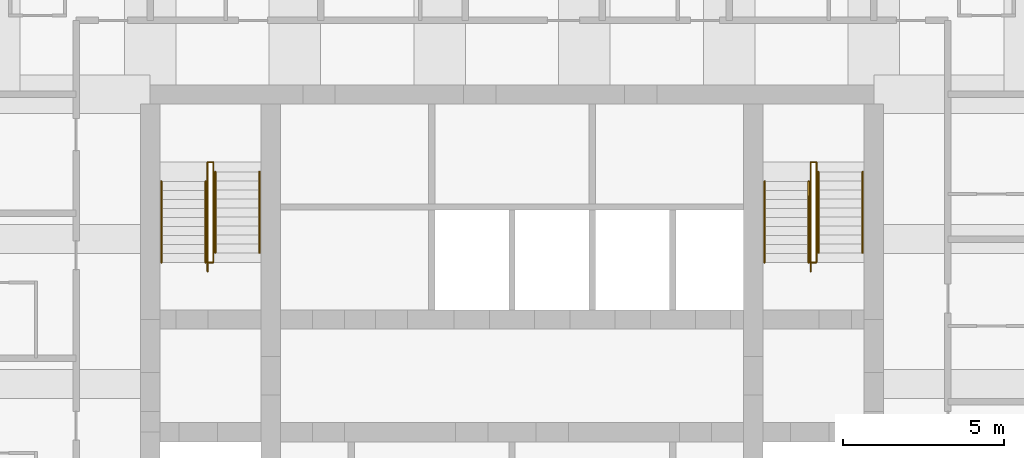
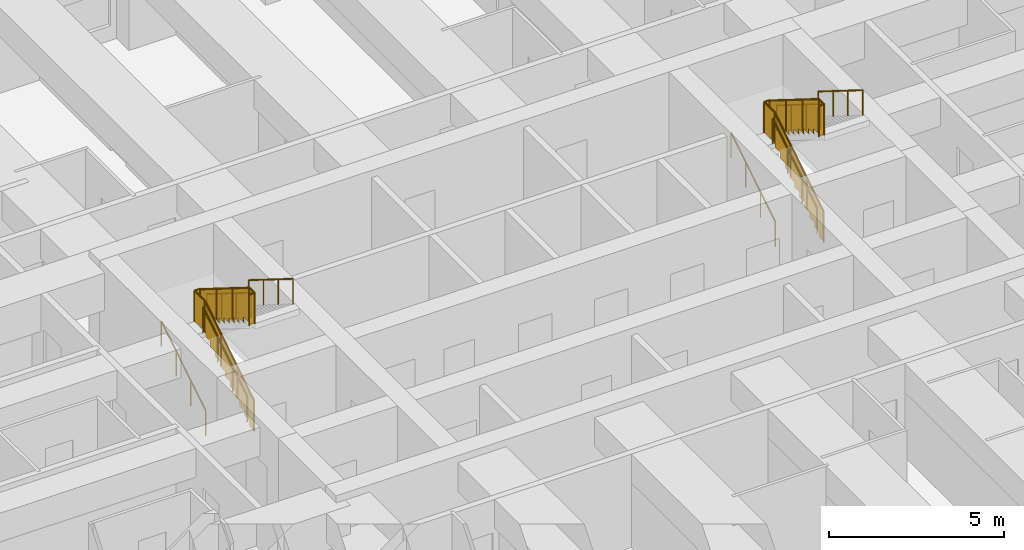
# One storey, part 8 of 8: 12 railings.
"""IFC4 building model written with IfcOpenShell, lengths in metres."""

import ifcopenshell
import ifcopenshell.guid

model = None  # the IFC model being written
_history = None  # IfcOwnerHistory: only IFC2X3 demands one
_inside = {}  # id of a spatial element -> (the spatial element, [elements in it])
_under = {}  # id of a project, library or spatial element -> (it, [spatial elements below it])
_declared = {}  # id of a project -> (the project, [libraries it declares])
_typed = {}  # id of a type object -> (the type object, [elements of that type])
_made_of = {}  # id of a material, layer set ... -> (it, [elements and type objects made of it])


def new_model(schema):
    """Start an empty IFC model of exactly this schema.

    Asked for "IFC4X3", IfcOpenShell would pick the latest addendum, in which some entities
    have other attributes; the version numbers below select the first issue.
    IFC2X3 requires an IfcOwnerHistory on every rooted entity: one is made here for all.
    """
    global model, _history
    if schema == "IFC4X3":
        model = ifcopenshell.file(schema_version=(4, 3, 0, 0))
    else:
        model = ifcopenshell.file(schema=schema)
    _inside.clear()
    _under.clear()
    _declared.clear()
    _typed.clear()
    _made_of.clear()
    _history = None
    if model.schema == "IFC2X3":
        org = make("IfcOrganization", Name="unknown")
        user = make(
            "IfcPersonAndOrganization",
            ThePerson=make("IfcPerson", FamilyName="unknown"),
            TheOrganization=org,
        )
        app = make(
            "IfcApplication",
            ApplicationDeveloper=org,
            Version="unknown",
            ApplicationFullName="unknown",
            ApplicationIdentifier="unknown",
        )
        _history = make(
            "IfcOwnerHistory",
            OwningUser=user,
            OwningApplication=app,
            ChangeAction="ADDED",
            CreationDate=0,
        )
    return model


def make(cls, **values):
    """One entity of the class cls with the attributes given. An attribute that is None is left unset."""
    return model.create_entity(
        cls, **{name: value for name, value in values.items() if value is not None}
    )


def rooted(cls, **values):
    """An entity with a GlobalId (a new one), such as an element, a storey or a relation."""
    return make(cls, GlobalId=ifcopenshell.guid.new(), OwnerHistory=_history, **values)


def si_unit(unit_type, name, prefix=None):
    """IfcSIUnit, for example si_unit("LENGTHUNIT", "METRE", prefix="MILLI")."""
    return make("IfcSIUnit", UnitType=unit_type, Prefix=prefix, Name=name)


def assignment(units):
    """IfcUnitAssignment: the units of a project."""
    return None if units is None else make("IfcUnitAssignment", Units=units)


def point(xyz):
    """IfcCartesianPoint."""
    return None if xyz is None else make("IfcCartesianPoint", Coordinates=xyz)


def direction(xyz):
    """IfcDirection."""
    return None if xyz is None else make("IfcDirection", DirectionRatios=xyz)


def frame(location, z_axis=None, x_axis=None):
    """IfcAxis2Placement3D, a coordinate frame: its origin and axes. An axis left out is left unset."""
    return make(
        "IfcAxis2Placement3D",
        Location=point(location),
        Axis=direction(z_axis),
        RefDirection=direction(x_axis),
    )


def frame_2d(location, x_axis=None):
    """IfcAxis2Placement2D, a coordinate frame in the plane: its origin and x axis."""
    return make(
        "IfcAxis2Placement2D", Location=point(location), RefDirection=direction(x_axis)
    )


def origin():
    """The frame at (0, 0, 0) with its axes left unset."""
    return frame((0.0, 0.0, 0.0))


def origin_2d():
    """The frame at (0, 0) in the plane with its x axis left unset."""
    return frame_2d((0.0, 0.0))


def place(relative_to, where):
    """IfcLocalPlacement: puts the frame where relative to a parent placement (None: the world)."""
    return make(
        "IfcLocalPlacement", PlacementRelTo=relative_to, RelativePlacement=where
    )


def context(
    kind, dimensions, precision=None, world=None, true_north=None, identifier=None
):
    """IfcGeometricRepresentationContext, for example the 3D "Model" context."""
    return make(
        "IfcGeometricRepresentationContext",
        ContextIdentifier=identifier,
        ContextType=kind,
        CoordinateSpaceDimension=dimensions,
        Precision=precision,
        WorldCoordinateSystem=world,
        TrueNorth=true_north,
    )


def subcontext(parent, identifier, kind, view, scale=None):
    """IfcGeometricRepresentationSubContext, for example "Body" below "Model"."""
    return make(
        "IfcGeometricRepresentationSubContext",
        ContextIdentifier=identifier,
        ContextType=kind,
        ParentContext=parent,
        TargetScale=scale,
        TargetView=view,
    )


def project(units=None, contexts=None):
    """IfcProject with its units and contexts."""
    return rooted(
        "IfcProject",
        Name="project",
        RepresentationContexts=contexts,
        UnitsInContext=assignment(units),
    )


def spatial(cls, under=None, at=None, **own):
    """A site, building, storey or space (cls), placed at a placement, below another one or the project."""
    s = rooted(cls, ObjectPlacement=at, **own)
    if under is not None:
        _under.setdefault(under.id(), (under, []))[1].append(s)
    return s


def polyline(points):
    """IfcPolyline through the points."""
    return make("IfcPolyline", Points=[point(p) for p in points])


def profile(cls, at=None, kind="AREA", **sizes):
    """A parametric profile (cls). Its sizes go by their IFC names, for example OverallWidth=200.0."""
    return make(cls, ProfileType=kind, Position=at, **sizes)


def circle(**sizes):
    """IfcCircleProfileDef."""
    return profile("IfcCircleProfileDef", **sizes)


def outline(outer, holes=None, kind="AREA"):
    """IfcArbitraryClosedProfileDef: a profile drawn as a closed curve; with holes, ...WithVoids."""
    if holes is None:
        return make("IfcArbitraryClosedProfileDef", ProfileType=kind, OuterCurve=outer)
    return make(
        "IfcArbitraryProfileDefWithVoids",
        ProfileType=kind,
        OuterCurve=outer,
        InnerCurves=holes,
    )


def extrude(swept, where, along, depth):
    """IfcExtrudedAreaSolid: the profile swept, set in the frame where, extruded along a direction by depth."""
    return make(
        "IfcExtrudedAreaSolid",
        SweptArea=swept,
        Position=where,
        ExtrudedDirection=direction(along),
        Depth=depth,
    )


def shape(context_of_items, identifier, shape_type, items):
    """IfcShapeRepresentation: the items that make up one representation, for example the "Body"."""
    return make(
        "IfcShapeRepresentation",
        ContextOfItems=context_of_items,
        RepresentationIdentifier=identifier,
        RepresentationType=shape_type,
        Items=items,
    )


def material(Name=None, Category=None):
    """IfcMaterial."""
    return make("IfcMaterial", Name=Name, Category=Category)


def made_of(thing, what):
    """Note that an element or type object is made of a material, layer set ...; save() writes the relation."""
    if what is not None:
        _made_of.setdefault(what.id(), (what, []))[1].append(thing)
    return thing


def type_object(cls, material=None, **own):
    """A type object (cls), such as IfcWallType, which elements share."""
    return made_of(rooted(cls, **own), material)


def element(
    cls,
    number,
    at=None,
    inside=None,
    cuts=None,
    type_object=None,
    material=None,
    context=None,
    identifier="Body",
    shape_type=None,
    held_by="IfcProductDefinitionShape",
    body=None,
    shapes=None,
    **own,
):
    """One element of the class cls, such as IfcWall. Its Tag is "e" and its number.

    at: its placement. inside: the storey or other place that contains it. cuts: it is an
    opening in that element (IfcRelVoidsElement). A single representation is given by context,
    identifier, shape_type and body (its items); several are given by shapes. held_by: the class
    of the entity that holds the representations. save() writes the other relations.
    """
    e = rooted(cls, Tag="e%d" % number, ObjectPlacement=at, **own)
    if body is not None:
        shapes = [shape(context, identifier, shape_type, body)]
    if shapes is not None:
        e.Representation = make(held_by, Representations=shapes)
    if inside is not None:
        _inside.setdefault(inside.id(), (inside, []))[1].append(e)
    if cuts is not None:
        rooted(
            "IfcRelVoidsElement", RelatingBuildingElement=cuts, RelatedOpeningElement=e
        )
    if type_object is not None:
        _typed.setdefault(type_object.id(), (type_object, []))[1].append(e)
    return made_of(e, material)


def aggregate(whole, parts):
    """IfcRelAggregates: a whole, such as a stair, and the parts it consists of."""
    return rooted("IfcRelAggregates", RelatingObject=whole, RelatedObjects=parts)


def save(model, path):
    """Write the relations noted so far, then the file.

    IfcRelAggregates (storeys below a building ...), IfcRelContainedInSpatialStructure (elements
    in a storey), IfcRelDefinesByType, IfcRelAssociatesMaterial and IfcRelDeclares: one each for
    every whole, place, type object, material and project.
    """
    for whole, parts in _under.values():
        aggregate(whole, parts)
    for where, things in _inside.values():
        rooted(
            "IfcRelContainedInSpatialStructure",
            RelatedElements=things,
            RelatingStructure=where,
        )
    for kind, things in _typed.values():
        rooted("IfcRelDefinesByType", RelatedObjects=things, RelatingType=kind)
    for what, things in _made_of.values():
        rooted("IfcRelAssociatesMaterial", RelatedObjects=things, RelatingMaterial=what)
    for by, libraries in _declared.values():
        rooted("IfcRelDeclares", RelatingContext=by, RelatedDefinitions=libraries)
    model.write(path)


model = new_model("IFC4")

# Units and contexts
model_context = context("Model", 3, precision=1e-05, world=origin(), true_north=direction((0.0, 1.0)))
body_context = subcontext(model_context, "Body", "Model", "MODEL_VIEW")
ifc_project = project(units=[si_unit("LENGTHUNIT", "METRE"), si_unit("AREAUNIT", "SQUARE_METRE"), si_unit("VOLUMEUNIT", "CUBIC_METRE"), si_unit("PLANEANGLEUNIT", "RADIAN"), si_unit("MASSUNIT", "GRAM", prefix="KILO")], contexts=[model_context])

# Site, building, storey
site_placement = place(None, origin())
site = spatial("IfcSite", under=ifc_project, at=site_placement, CompositionType="ELEMENT")
building_placement = place(site_placement, origin())
building = spatial("IfcBuilding", under=site, at=building_placement, Name="Kilele Tower Hotel", CompositionType="ELEMENT")
storey_placement = place(building_placement, frame((0.0, 0.0, 197.39990234375)))
storey = spatial("IfcBuildingStorey", under=building, at=storey_placement, Name="L51", CompositionType="ELEMENT", Elevation=197.39990234375)

# Railings
ifc_material_1 = material(Name="Steel handrail", Category="steel")
railing_type_1 = type_object("IfcRailingType", Name="Handrail 900", PredefinedType="HANDRAIL", material=ifc_material_1)
for number, where, name in (
    (1, (13.85009765625, 21.77490234375, 0.175048828125), "Handrail ST1 flight 1"),
    (2, (15.22509765625, 21.77490234375, 0.175048828125), "Handrail ST1 flight 1"),
):
    element("IfcRailing", number, at=place(storey_placement, frame(where)), inside=storey, type_object=railing_type_1, Name=name, PredefinedType="HANDRAIL", context=body_context, shape_type="SweptSolid", body=[
        extrude(circle(Radius=0.02490234375, at=origin_2d()), frame((0.0, 0.0, 0.875), z_axis=(0.0, 0.848007534815, 0.529984170421), x_axis=(-1.0, 0.0, 0.0)), (0.0, 0.0, 1.0), 2.9716796875),
        extrude(circle(Radius=0.02001953125, at=origin_2d()), origin(), (0.0, 0.0, 1.0), 0.849853515625),
        extrude(circle(Radius=0.02001953125, at=origin_2d()), frame((0.0, 0.840087890625, 0.52490234375)), (0.0, 0.0, 1.0), 0.849853515625),
        extrude(circle(Radius=0.02001953125, at=origin_2d()), frame((0.0, 1.679931640625, 1.050048828125)), (0.0, 0.0, 1.0), 0.849853515625),
        extrude(circle(Radius=0.02001953125, at=origin_2d()), frame((0.0, 2.52001953125, 1.574951171875)), (0.0, 0.0, 1.0), 0.849853515625),
    ])
for number, where, name in (
    (3, (15.52490234375, 24.594970703125, 1.925048828125), "Handrail ST1 flight 2"),
    (4, (16.89990234375, 24.594970703125, 1.925048828125), "Handrail ST1 flight 2"),
):
    element("IfcRailing", number, at=place(storey_placement, frame(where)), inside=storey, type_object=railing_type_1, Name=name, PredefinedType="HANDRAIL", context=body_context, shape_type="SweptSolid", body=[
        extrude(circle(Radius=0.02490234375, at=origin_2d()), frame((0.0, 0.0, 0.875), z_axis=(0.0, -0.848007534815, 0.529984170421), x_axis=(1.0, 0.0, 0.0)), (0.0, 0.0, 1.0), 2.9716796875),
        extrude(circle(Radius=0.02001953125, at=origin_2d()), origin(), (0.0, 0.0, 1.0), 0.849853515625),
        extrude(circle(Radius=0.02001953125, at=origin_2d()), frame((0.0, -0.840087890625, 0.52490234375)), (0.0, 0.0, 1.0), 0.849853515625),
        extrude(circle(Radius=0.02001953125, at=origin_2d()), frame((0.0, -1.679931640625, 1.050048828125)), (0.0, 0.0, 1.0), 0.849853515625),
        extrude(circle(Radius=0.02001953125, at=origin_2d()), frame((0.0, -2.52001953125, 1.574951171875)), (0.0, 0.0, 1.0), 0.849853515625),
    ])
for number, where, name in (
    (5, (32.60009765625, 21.77490234375, 0.175048828125), "Handrail ST2 flight 1"),
    (6, (33.97509765625, 21.77490234375, 0.175048828125), "Handrail ST2 flight 1"),
):
    element("IfcRailing", number, at=place(storey_placement, frame(where)), inside=storey, type_object=railing_type_1, Name=name, PredefinedType="HANDRAIL", context=body_context, shape_type="SweptSolid", body=[
        extrude(circle(Radius=0.02490234375, at=origin_2d()), frame((0.0, 0.0, 0.875), z_axis=(0.0, 0.848007534815, 0.529984170421), x_axis=(-1.0, 0.0, 0.0)), (0.0, 0.0, 1.0), 2.9716796875),
        extrude(circle(Radius=0.02001953125, at=origin_2d()), origin(), (0.0, 0.0, 1.0), 0.849853515625),
        extrude(circle(Radius=0.02001953125, at=origin_2d()), frame((0.0, 0.840087890625, 0.52490234375)), (0.0, 0.0, 1.0), 0.849853515625),
        extrude(circle(Radius=0.02001953125, at=origin_2d()), frame((0.0, 1.679931640625, 1.050048828125)), (0.0, 0.0, 1.0), 0.849853515625),
        extrude(circle(Radius=0.02001953125, at=origin_2d()), frame((0.0, 2.52001953125, 1.574951171875)), (0.0, 0.0, 1.0), 0.849853515625),
    ])
for number, where, name in (
    (7, (34.27490234375, 24.594970703125, 1.925048828125), "Handrail ST2 flight 2"),
    (8, (35.64990234375, 24.594970703125, 1.925048828125), "Handrail ST2 flight 2"),
):
    element("IfcRailing", number, at=place(storey_placement, frame(where)), inside=storey, type_object=railing_type_1, Name=name, PredefinedType="HANDRAIL", context=body_context, shape_type="SweptSolid", body=[
        extrude(circle(Radius=0.02490234375, at=origin_2d()), frame((0.0, 0.0, 0.875), z_axis=(0.0, -0.848007534815, 0.529984170421), x_axis=(1.0, 0.0, 0.0)), (0.0, 0.0, 1.0), 2.9716796875),
        extrude(circle(Radius=0.02001953125, at=origin_2d()), origin(), (0.0, 0.0, 1.0), 0.849853515625),
        extrude(circle(Radius=0.02001953125, at=origin_2d()), frame((0.0, -0.840087890625, 0.52490234375)), (0.0, 0.0, 1.0), 0.849853515625),
        extrude(circle(Radius=0.02001953125, at=origin_2d()), frame((0.0, -1.679931640625, 1.050048828125)), (0.0, 0.0, 1.0), 0.849853515625),
        extrude(circle(Radius=0.02001953125, at=origin_2d()), frame((0.0, -2.52001953125, 1.574951171875)), (0.0, 0.0, 1.0), 0.849853515625),
    ])
ifc_material_2 = material(Name="Steel guard", Category="steel")
railing_type_2 = type_object("IfcRailingType", Name="Stair guard 1100", PredefinedType="GUARDRAIL", material=ifc_material_2)
railing_1_placement = place(storey_placement, frame((15.284912109375, 21.4951171875, 0.0)))
element("IfcRailing", 9, at=railing_1_placement, inside=storey, type_object=railing_type_2, Name="Stair well guard ST1 flight 1", PredefinedType="GUARDRAIL", context=body_context, shape_type="SweptSolid", body=[
    extrude(circle(Radius=0.02490234375, at=origin_2d()), frame((0.0, 0.0, 1.0751953125), z_axis=(0.0, 0.847981687118, 0.530025526095), x_axis=(-1.0, 0.0, 0.0)), (0.0, 0.0, 1.0), 3.3017578125),
    extrude(circle(Radius=0.02490234375, at=origin_2d()), frame((0.0, 2.7998046875, 2.8251953125), z_axis=(0.0, 1.0, 0.0), x_axis=(-1.0, 0.0, 0.0)), (0.0, 0.0, 1.0), 0.60009765625),
    extrude(circle(Radius=0.02490234375, at=origin_2d()), frame((0.0, 3.39990234375, 2.8251953125), z_axis=(1.0, 0.0, 0.0), x_axis=(0.0, 1.0, 0.0)), (0.0, 0.0, 1.0), 0.18017578125),
    extrude(circle(Radius=0.02490234375, at=origin_2d()), origin(), (0.0, 0.0, 1.0), 1.050048828125),
    extrude(circle(Radius=0.02490234375, at=origin_2d()), frame((0.0, 0.933349609375, 0.583251953125)), (0.0, 0.0, 1.0), 1.050048828125),
    extrude(circle(Radius=0.02490234375, at=origin_2d()), frame((0.0, 1.866455078125, 1.166748046875)), (0.0, 0.0, 1.0), 1.050048828125),
    extrude(circle(Radius=0.02490234375, at=origin_2d()), frame((0.0, 2.7998046875, 1.75)), (0.0, 0.0, 1.0), 1.050048828125),
    extrude(circle(Radius=0.02490234375, at=origin_2d()), frame((0.0, 3.39990234375, 1.75)), (0.0, 0.0, 1.0), 1.050048828125),
    extrude(circle(Radius=0.02490234375, at=origin_2d()), frame((0.18017578125, 3.39990234375, 1.75)), (0.0, 0.0, 1.0), 1.050048828125),
    extrude(outline(polyline([(0.012451171875, 0.030029296875), (0.25, 0.030029296875), (0.25, 0.205078125), (0.530029296875, 0.205078125), (0.530029296875, 0.380126953125), (0.809814453125, 0.380126953125), (0.809814453125, 0.554931640625), (1.08984375, 0.554931640625), (1.08984375, 0.72998046875), (1.369873046875, 0.72998046875), (1.369873046875, 0.905029296875), (1.64990234375, 0.905029296875), (1.64990234375, 1.080078125), (1.929931640625, 1.080078125), (1.929931640625, 1.255126953125), (2.209716796875, 1.255126953125), (2.209716796875, 1.429931640625), (2.48974609375, 1.429931640625), (2.48974609375, 1.60498046875), (2.769775390625, 1.60498046875), (2.769775390625, 1.780029296875), (2.787353515625, 1.780029296875), (2.787353515625, 2.787841796875), (0.012451171875, 1.053466796875), (0.012451171875, 0.030029296875)])), frame((-0.005859375, 0.0, 0.0), z_axis=(1.0, 0.0, 0.0), x_axis=(0.0, 1.0, 0.0)), (0.0, 0.0, 1.0), 0.011962890625),
    extrude(outline(polyline([(0.012451171875, 0.030029296875), (0.587646484375, 0.030029296875), (0.587646484375, 1.050048828125), (0.012451171875, 1.050048828125), (0.012451171875, 0.030029296875)])), frame((-0.005859375, 2.7998046875, 1.75), z_axis=(1.0, 0.0, 0.0), x_axis=(0.0, 1.0, 0.0)), (0.0, 0.0, 1.0), 0.011962890625),
    extrude(outline(polyline([(0.012451171875, 0.030029296875), (0.18017578125, 0.030029296875), (0.18017578125, 1.050048828125), (0.012451171875, 1.050048828125), (0.012451171875, 0.030029296875)])), frame((0.0, 3.40576171875, 1.75), z_axis=(0.0, -1.0, 0.0), x_axis=(1.0, 0.0, 0.0)), (0.0, 0.0, 1.0), 0.011962890625),
])
railing_2_placement = place(storey_placement, frame((15.465087890625, 24.89501953125, 1.75)))
element("IfcRailing", 10, at=railing_2_placement, inside=storey, type_object=railing_type_2, Name="Stair well guard ST1 flight 2", PredefinedType="GUARDRAIL", context=body_context, shape_type="SweptSolid", body=[
    extrude(circle(Radius=0.02490234375, at=origin_2d()), frame((0.0, 0.0, 1.0751953125), z_axis=(0.0, -1.0, 0.0), x_axis=(1.0, 0.0, 0.0)), (0.0, 0.0, 1.0), 0.02001953125),
    extrude(circle(Radius=0.02490234375, at=origin_2d()), frame((0.0, -0.02001953125, 1.0751953125), z_axis=(0.0, -0.848002457836, 0.529992293815), x_axis=(1.0, 0.0, 0.0)), (0.0, 0.0, 1.0), 3.302001953125),
    extrude(circle(Radius=0.02490234375, at=origin_2d()), frame((0.0, -2.820068359375, 2.8251953125), z_axis=(0.0, -1.0, 0.0), x_axis=(1.0, 0.0, 0.0)), (0.0, 0.0, 1.0), 0.300048828125),
    extrude(circle(Radius=0.02490234375, at=origin_2d()), frame((0.0, -3.1201171875, 2.8251953125), z_axis=(-1.0, 0.0, 0.0), x_axis=(0.0, -1.0, 0.0)), (0.0, 0.0, 1.0), 0.18017578125),
    extrude(circle(Radius=0.02490234375, at=origin_2d()), origin(), (0.0, 0.0, 1.0), 1.050048828125),
    extrude(circle(Radius=0.02490234375, at=origin_2d()), frame((0.0, -0.02001953125, 0.0)), (0.0, 0.0, 1.0), 1.050048828125),
    extrude(circle(Radius=0.02490234375, at=origin_2d()), frame((0.0, -0.953369140625, 0.583251953125)), (0.0, 0.0, 1.0), 1.050048828125),
    extrude(circle(Radius=0.02490234375, at=origin_2d()), frame((0.0, -1.88671875, 1.166748046875)), (0.0, 0.0, 1.0), 1.050048828125),
    extrude(circle(Radius=0.02490234375, at=origin_2d()), frame((0.0, -2.820068359375, 1.75)), (0.0, 0.0, 1.0), 1.050048828125),
    extrude(circle(Radius=0.02490234375, at=origin_2d()), frame((0.0, -3.1201171875, 1.75)), (0.0, 0.0, 1.0), 1.050048828125),
    extrude(circle(Radius=0.02490234375, at=origin_2d()), frame((-0.18017578125, -3.1201171875, 1.75)), (0.0, 0.0, 1.0), 1.050048828125),
    extrude(outline(polyline([(0.012451171875, 0.030029296875), (0.25, 0.030029296875), (0.25, 0.205078125), (0.530029296875, 0.205078125), (0.530029296875, 0.380126953125), (0.81005859375, 0.380126953125), (0.81005859375, 0.554931640625), (1.090087890625, 0.554931640625), (1.090087890625, 0.72998046875), (1.3701171875, 0.72998046875), (1.3701171875, 0.905029296875), (1.64990234375, 0.905029296875), (1.64990234375, 1.080078125), (1.929931640625, 1.080078125), (1.929931640625, 1.255126953125), (2.2099609375, 1.255126953125), (2.2099609375, 1.429931640625), (2.489990234375, 1.429931640625), (2.489990234375, 1.60498046875), (2.77001953125, 1.60498046875), (2.77001953125, 1.780029296875), (2.78759765625, 1.780029296875), (2.78759765625, 2.787841796875), (0.012451171875, 1.053466796875), (0.012451171875, 0.030029296875)])), frame((0.005859375, -0.02001953125, 0.0), z_axis=(-1.0, 0.0, 0.0), x_axis=(0.0, -1.0, 0.0)), (0.0, 0.0, 1.0), 0.011962890625),
    extrude(outline(polyline([(0.012451171875, 0.030029296875), (0.28759765625, 0.030029296875), (0.28759765625, 1.050048828125), (0.012451171875, 1.050048828125), (0.012451171875, 0.030029296875)])), frame((0.005859375, -2.820068359375, 1.75), z_axis=(-1.0, 0.0, 0.0), x_axis=(0.0, -1.0, 0.0)), (0.0, 0.0, 1.0), 0.011962890625),
    extrude(outline(polyline([(0.012451171875, 0.030029296875), (0.18017578125, 0.030029296875), (0.18017578125, 1.050048828125), (0.012451171875, 1.050048828125), (0.012451171875, 0.030029296875)])), frame((0.0, -3.1259765625, 1.75), z_axis=(0.0, 1.0, 0.0), x_axis=(-1.0, 0.0, 0.0)), (0.0, 0.0, 1.0), 0.011962890625),
])
railing_3_placement = place(storey_placement, frame((34.034912109375, 21.4951171875, 0.0)))
element("IfcRailing", 11, at=railing_3_placement, inside=storey, type_object=railing_type_2, Name="Stair well guard ST2 flight 1", PredefinedType="GUARDRAIL", context=body_context, shape_type="SweptSolid", body=[
    extrude(circle(Radius=0.02490234375, at=origin_2d()), frame((0.0, 0.0, 1.0751953125), z_axis=(0.0, 0.847981687118, 0.530025526095), x_axis=(-1.0, 0.0, 0.0)), (0.0, 0.0, 1.0), 3.3017578125),
    extrude(circle(Radius=0.02490234375, at=origin_2d()), frame((0.0, 2.7998046875, 2.8251953125), z_axis=(0.0, 1.0, 0.0), x_axis=(-1.0, 0.0, 0.0)), (0.0, 0.0, 1.0), 0.60009765625),
    extrude(circle(Radius=0.02490234375, at=origin_2d()), frame((0.0, 3.39990234375, 2.8251953125), z_axis=(1.0, 0.0, 0.0), x_axis=(0.0, 1.0, 0.0)), (0.0, 0.0, 1.0), 0.18017578125),
    extrude(circle(Radius=0.02490234375, at=origin_2d()), origin(), (0.0, 0.0, 1.0), 1.050048828125),
    extrude(circle(Radius=0.02490234375, at=origin_2d()), frame((0.0, 0.933349609375, 0.583251953125)), (0.0, 0.0, 1.0), 1.050048828125),
    extrude(circle(Radius=0.02490234375, at=origin_2d()), frame((0.0, 1.866455078125, 1.166748046875)), (0.0, 0.0, 1.0), 1.050048828125),
    extrude(circle(Radius=0.02490234375, at=origin_2d()), frame((0.0, 2.7998046875, 1.75)), (0.0, 0.0, 1.0), 1.050048828125),
    extrude(circle(Radius=0.02490234375, at=origin_2d()), frame((0.0, 3.39990234375, 1.75)), (0.0, 0.0, 1.0), 1.050048828125),
    extrude(circle(Radius=0.02490234375, at=origin_2d()), frame((0.18017578125, 3.39990234375, 1.75)), (0.0, 0.0, 1.0), 1.050048828125),
    extrude(outline(polyline([(0.012451171875, 0.030029296875), (0.25, 0.030029296875), (0.25, 0.205078125), (0.530029296875, 0.205078125), (0.530029296875, 0.380126953125), (0.809814453125, 0.380126953125), (0.809814453125, 0.554931640625), (1.08984375, 0.554931640625), (1.08984375, 0.72998046875), (1.369873046875, 0.72998046875), (1.369873046875, 0.905029296875), (1.64990234375, 0.905029296875), (1.64990234375, 1.080078125), (1.929931640625, 1.080078125), (1.929931640625, 1.255126953125), (2.209716796875, 1.255126953125), (2.209716796875, 1.429931640625), (2.48974609375, 1.429931640625), (2.48974609375, 1.60498046875), (2.769775390625, 1.60498046875), (2.769775390625, 1.780029296875), (2.787353515625, 1.780029296875), (2.787353515625, 2.787841796875), (0.012451171875, 1.053466796875), (0.012451171875, 0.030029296875)])), frame((-0.005859375, 0.0, 0.0), z_axis=(1.0, 0.0, 0.0), x_axis=(0.0, 1.0, 0.0)), (0.0, 0.0, 1.0), 0.011962890625),
    extrude(outline(polyline([(0.012451171875, 0.030029296875), (0.587646484375, 0.030029296875), (0.587646484375, 1.050048828125), (0.012451171875, 1.050048828125), (0.012451171875, 0.030029296875)])), frame((-0.005859375, 2.7998046875, 1.75), z_axis=(1.0, 0.0, 0.0), x_axis=(0.0, 1.0, 0.0)), (0.0, 0.0, 1.0), 0.011962890625),
    extrude(outline(polyline([(0.012451171875, 0.030029296875), (0.18017578125, 0.030029296875), (0.18017578125, 1.050048828125), (0.012451171875, 1.050048828125), (0.012451171875, 0.030029296875)])), frame((0.0, 3.40576171875, 1.75), z_axis=(0.0, -1.0, 0.0), x_axis=(1.0, 0.0, 0.0)), (0.0, 0.0, 1.0), 0.011962890625),
])
railing_4_placement = place(storey_placement, frame((34.215087890625, 24.89501953125, 1.75)))
element("IfcRailing", 12, at=railing_4_placement, inside=storey, type_object=railing_type_2, Name="Stair well guard ST2 flight 2", PredefinedType="GUARDRAIL", context=body_context, shape_type="SweptSolid", body=[
    extrude(circle(Radius=0.02490234375, at=origin_2d()), frame((0.0, 0.0, 1.0751953125), z_axis=(0.0, -1.0, 0.0), x_axis=(1.0, 0.0, 0.0)), (0.0, 0.0, 1.0), 0.02001953125),
    extrude(circle(Radius=0.02490234375, at=origin_2d()), frame((0.0, -0.02001953125, 1.0751953125), z_axis=(0.0, -0.848002457836, 0.529992293815), x_axis=(1.0, 0.0, 0.0)), (0.0, 0.0, 1.0), 3.302001953125),
    extrude(circle(Radius=0.02490234375, at=origin_2d()), frame((0.0, -2.820068359375, 2.8251953125), z_axis=(0.0, -1.0, 0.0), x_axis=(1.0, 0.0, 0.0)), (0.0, 0.0, 1.0), 0.300048828125),
    extrude(circle(Radius=0.02490234375, at=origin_2d()), frame((0.0, -3.1201171875, 2.8251953125), z_axis=(-1.0, 0.0, 0.0), x_axis=(0.0, -1.0, 0.0)), (0.0, 0.0, 1.0), 0.18017578125),
    extrude(circle(Radius=0.02490234375, at=origin_2d()), origin(), (0.0, 0.0, 1.0), 1.050048828125),
    extrude(circle(Radius=0.02490234375, at=origin_2d()), frame((0.0, -0.02001953125, 0.0)), (0.0, 0.0, 1.0), 1.050048828125),
    extrude(circle(Radius=0.02490234375, at=origin_2d()), frame((0.0, -0.953369140625, 0.583251953125)), (0.0, 0.0, 1.0), 1.050048828125),
    extrude(circle(Radius=0.02490234375, at=origin_2d()), frame((0.0, -1.88671875, 1.166748046875)), (0.0, 0.0, 1.0), 1.050048828125),
    extrude(circle(Radius=0.02490234375, at=origin_2d()), frame((0.0, -2.820068359375, 1.75)), (0.0, 0.0, 1.0), 1.050048828125),
    extrude(circle(Radius=0.02490234375, at=origin_2d()), frame((0.0, -3.1201171875, 1.75)), (0.0, 0.0, 1.0), 1.050048828125),
    extrude(circle(Radius=0.02490234375, at=origin_2d()), frame((-0.18017578125, -3.1201171875, 1.75)), (0.0, 0.0, 1.0), 1.050048828125),
    extrude(outline(polyline([(0.012451171875, 0.030029296875), (0.25, 0.030029296875), (0.25, 0.205078125), (0.530029296875, 0.205078125), (0.530029296875, 0.380126953125), (0.81005859375, 0.380126953125), (0.81005859375, 0.554931640625), (1.090087890625, 0.554931640625), (1.090087890625, 0.72998046875), (1.3701171875, 0.72998046875), (1.3701171875, 0.905029296875), (1.64990234375, 0.905029296875), (1.64990234375, 1.080078125), (1.929931640625, 1.080078125), (1.929931640625, 1.255126953125), (2.2099609375, 1.255126953125), (2.2099609375, 1.429931640625), (2.489990234375, 1.429931640625), (2.489990234375, 1.60498046875), (2.77001953125, 1.60498046875), (2.77001953125, 1.780029296875), (2.78759765625, 1.780029296875), (2.78759765625, 2.787841796875), (0.012451171875, 1.053466796875), (0.012451171875, 0.030029296875)])), frame((0.005859375, -0.02001953125, 0.0), z_axis=(-1.0, 0.0, 0.0), x_axis=(0.0, -1.0, 0.0)), (0.0, 0.0, 1.0), 0.011962890625),
    extrude(outline(polyline([(0.012451171875, 0.030029296875), (0.28759765625, 0.030029296875), (0.28759765625, 1.050048828125), (0.012451171875, 1.050048828125), (0.012451171875, 0.030029296875)])), frame((0.005859375, -2.820068359375, 1.75), z_axis=(-1.0, 0.0, 0.0), x_axis=(0.0, -1.0, 0.0)), (0.0, 0.0, 1.0), 0.011962890625),
    extrude(outline(polyline([(0.012451171875, 0.030029296875), (0.18017578125, 0.030029296875), (0.18017578125, 1.050048828125), (0.012451171875, 1.050048828125), (0.012451171875, 0.030029296875)])), frame((0.0, -3.1259765625, 1.75), z_axis=(0.0, 1.0, 0.0), x_axis=(-1.0, 0.0, 0.0)), (0.0, 0.0, 1.0), 0.011962890625),
])

save(model, "model.ifc")
